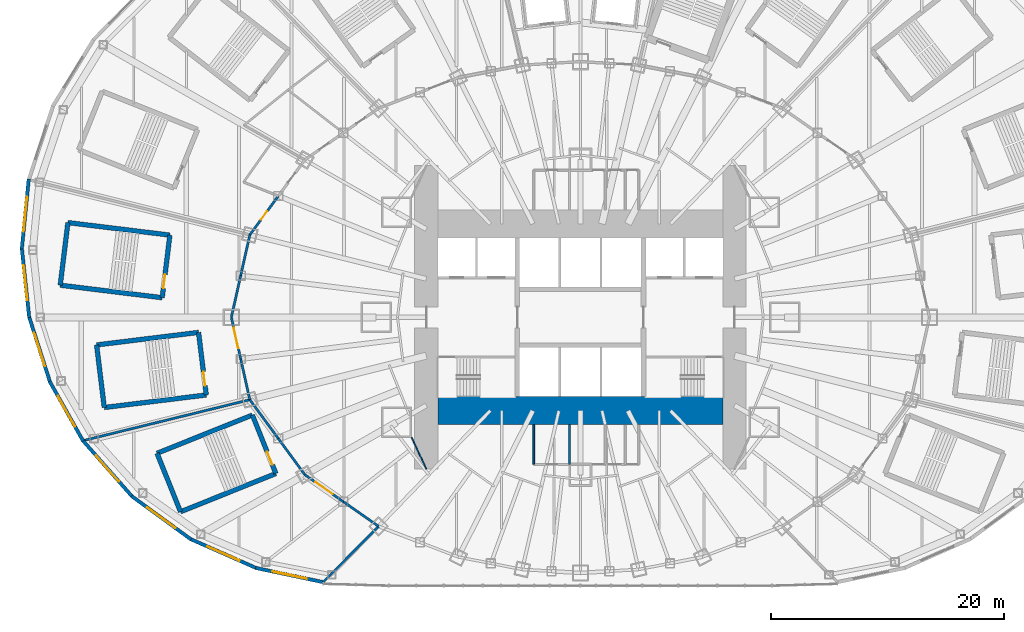
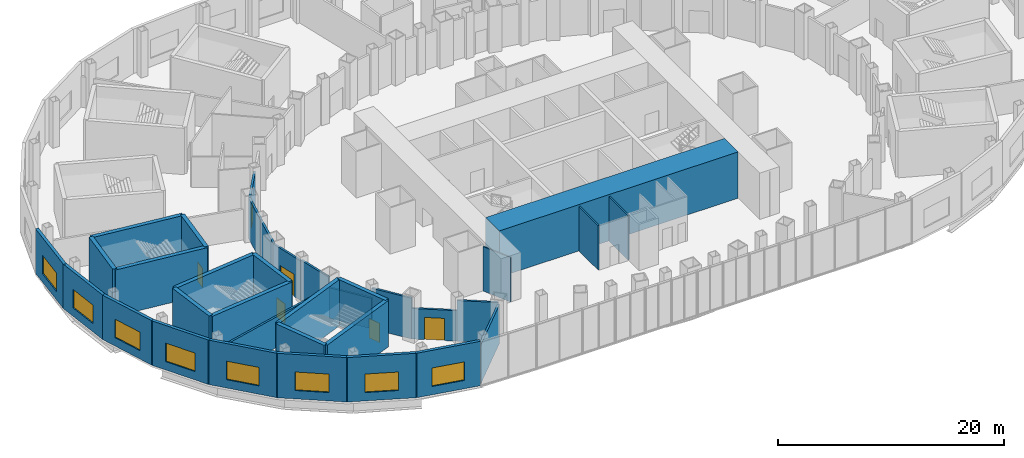
# One storey, part 13 of 73: 35 walls, 8 windows, 6 doors, 14 openings.
"""IFC4 building model written with IfcOpenShell, lengths in metres."""

from ifc_helpers import new_model, si_unit, direction, frame, frame_2d, origin, place, context, subcontext, project, spatial, rectangle, extrude, material, layer, layer_set, type_object, element, fill, save


model = new_model("IFC4")

# Units and contexts
model_context = context("Model", 3, precision=1e-05, world=origin(), true_north=direction((0.0, 1.0)))
body_context = subcontext(model_context, "Body", "Model", "MODEL_VIEW")
ifc_project = project(units=[si_unit("LENGTHUNIT", "METRE"), si_unit("AREAUNIT", "SQUARE_METRE"), si_unit("VOLUMEUNIT", "CUBIC_METRE"), si_unit("PLANEANGLEUNIT", "RADIAN"), si_unit("MASSUNIT", "GRAM", prefix="KILO")], contexts=[model_context])

# Site, building, storey
site_placement = place(None, origin())
site = spatial("IfcSite", under=ifc_project, at=site_placement, CompositionType="ELEMENT")
building_placement = place(site_placement, origin())
building = spatial("IfcBuilding", under=site, at=building_placement, Name="Lantaw Convention Tower", CompositionType="ELEMENT")
storey_placement = place(building_placement, frame((0.0, 0.0, 22.0)))
storey = spatial("IfcBuildingStorey", under=building, at=storey_placement, Name="L03", CompositionType="ELEMENT", Elevation=22.0)

# Walls
ifc_material_1 = material(Name="Concrete C60/75", Category="concrete")
ifc_layer_1 = layer(ifc_material_1, 2.39990234375)
ifc_layer_set_1 = layer_set([ifc_layer_1], Name="Core wall 2400")
wall_type_1 = type_object("IfcWallType", Name="Core wall 2400", PredefinedType="SHEAR", material=ifc_layer_set_1)
wall_1_placement = place(storey_placement, frame((-12.199951171875, -8.0, 0.0), z_axis=(0.0, 0.0, 1.0), x_axis=(1.0, 0.0, 0.0)))
element("IfcWall", 1, at=wall_1_placement, inside=storey, type_object=wall_type_1, Name="Core wall S", PredefinedType="SHEAR", context=body_context, shape_type="SweptSolid", body=[
    extrude(rectangle(XDim=24.39990234375, YDim=2.39990234375, at=frame_2d((12.199951171875, 0.0))), origin(), (0.0, 0.0, 1.0), 5.0),
])
ifc_material_2 = material(Name="Gypsum board on steel studs, acoustic", Category="steel")
ifc_layer_2 = layer(ifc_material_2, 0.10009765625)
ifc_layer_set_2 = layer_set([ifc_layer_2], Name="Office partition 100")
wall_type_2 = type_object("IfcWallType", Name="Office partition 100", PredefinedType="PARTITIONING", material=ifc_layer_set_2)
wall_2_placement = place(storey_placement, frame((-13.199951171875, -13.0, 0.0), z_axis=(0.0, 0.0, 1.0), x_axis=(-0.420129824888, 0.907464010437, 0.0)))
element("IfcWall", 2, at=wall_2_placement, inside=storey, type_object=wall_type_2, Name="Office partition 100", PredefinedType="PARTITIONING", context=body_context, shape_type="SweptSolid", body=[
    extrude(rectangle(XDim=2.975341796875, YDim=0.10009765625, at=frame_2d((1.48779296875, 0.0))), origin(), (0.0, 0.0, 1.0), 4.800048828125),
])

# Wall, opening, window
ifc_material_3 = material(Name="Precast concrete panel, pale aluminium rainscreen", Category="concrete")
ifc_layer_3 = layer(ifc_material_3, 0.300048828125)
ifc_layer_set_3 = layer_set([ifc_layer_3], Name="Podium external wall 300")
wall_type_3 = type_object("IfcWallType", Name="Podium external wall 300", PredefinedType="SOLIDWALL", material=ifc_layer_set_3)
wall_3_placement = place(storey_placement, frame((-47.256591796875, 11.845458984375, 0.0), z_axis=(0.0, 0.0, 1.0), x_axis=(-0.099051198898, -0.9950823383, 0.0)))
wall_3 = element("IfcWall", 3, at=wall_3_placement, inside=storey, type_object=wall_type_3, Name="Podium facade wall", PredefinedType="SOLIDWALL", context=body_context, shape_type="SweptSolid", body=[
    extrude(rectangle(XDim=6.036376953125, YDim=0.300048828125, at=frame_2d((3.01806640625, 0.0))), origin(), (0.0, 0.0, 1.0), 4.800048828125),
])
opening_1_placement = place(wall_3_placement, frame((1.51806640625, 0.0, 0.89990234375)))
opening_1 = element("IfcOpeningElement", 4, at=opening_1_placement, cuts=wall_3, Name="Opening W3", PredefinedType="OPENING", context=body_context, shape_type="SweptSolid", body=[
    extrude(rectangle(XDim=3.0, YDim=2.0, at=frame_2d((1.5, 1.0))), frame((0.0, 0.159912109375, 0.0), z_axis=(0.0, -1.0, 0.0), x_axis=(1.0, 0.0, 0.0)), (0.0, 0.0, 1.0), 0.320068359375),
])
ifc_material_4 = material(Name="Aluminium frame, clear insulating glass", Category="aluminium")
window_type = type_object("IfcWindowType", Name="Podium window 3000x2000", PartitioningType="DOUBLE_PANEL_VERTICAL", PredefinedType="WINDOW", material=ifc_material_4)
window_1_placement = place(opening_1_placement, origin())
window_1 = element("IfcWindow", 5, at=window_1_placement, inside=storey, type_object=window_type, Name="Podium window", OverallHeight=2.0, OverallWidth=3.0, PartitioningType="SINGLE_PANEL", PredefinedType="WINDOW", context=body_context, shape_type="SweptSolid", body=[
    extrude(rectangle(XDim=3.0, YDim=2.0, at=frame_2d((1.5, 1.0))), frame((0.0, 0.030029296875, 0.0), z_axis=(0.0, -1.0, 0.0), x_axis=(1.0, 0.0, 0.0)), (0.0, 0.0, 1.0), 0.06005859375),
])
fill(opening_1, window_1)

wall_4_placement = place(storey_placement, frame((-47.85498046875, 5.94921875, 0.0), z_axis=(0.0, 0.0, 1.0), x_axis=(0.105835648981, -0.99438363593, 0.0)))
wall_4 = element("IfcWall", 6, at=wall_4_placement, inside=storey, type_object=wall_type_3, Name="Podium facade wall", PredefinedType="SOLIDWALL", context=body_context, shape_type="SweptSolid", body=[
    extrude(rectangle(XDim=6.0068359375, YDim=0.300048828125, at=frame_2d((3.00341796875, 0.0))), origin(), (0.0, 0.0, 1.0), 4.800048828125),
])
opening_2_placement = place(wall_4_placement, frame((1.50341796875, 0.0, 0.89990234375)))
opening_2 = element("IfcOpeningElement", 7, at=opening_2_placement, cuts=wall_4, Name="Opening W3", PredefinedType="OPENING", context=body_context, shape_type="SweptSolid", body=[
    extrude(rectangle(XDim=3.0, YDim=2.0, at=frame_2d((1.5, 1.0))), frame((0.0, 0.159912109375, 0.0), z_axis=(0.0, -1.0, 0.0), x_axis=(1.0, 0.0, 0.0)), (0.0, 0.0, 1.0), 0.320068359375),
])
window_2_placement = place(opening_2_placement, origin())
window_2 = element("IfcWindow", 8, at=window_2_placement, inside=storey, type_object=window_type, Name="Podium window", OverallHeight=2.0, OverallWidth=3.0, PartitioningType="SINGLE_PANEL", PredefinedType="WINDOW", context=body_context, shape_type="SweptSolid", body=[
    extrude(rectangle(XDim=3.0, YDim=2.0, at=frame_2d((1.5, 1.0))), frame((0.0, 0.030029296875, 0.0), z_axis=(0.0, -1.0, 0.0), x_axis=(1.0, 0.0, 0.0)), (0.0, 0.0, 1.0), 0.06005859375),
])
fill(opening_2, window_2)

wall_5_placement = place(storey_placement, frame((-47.241943359375, 0.083740234375, 0.0), z_axis=(0.0, 0.0, 1.0), x_axis=(0.304991367091, -0.95235511549, 0.0)))
wall_5 = element("IfcWall", 9, at=wall_5_placement, inside=storey, type_object=wall_type_3, Name="Podium facade wall", PredefinedType="SOLIDWALL", context=body_context, shape_type="SweptSolid", body=[
    extrude(rectangle(XDim=5.956298828125, YDim=0.300048828125, at=frame_2d((2.97802734375, 0.0))), origin(), (0.0, 0.0, 1.0), 4.800048828125),
])
opening_3_placement = place(wall_5_placement, frame((1.478271484375, 0.0, 0.89990234375)))
opening_3 = element("IfcOpeningElement", 10, at=opening_3_placement, cuts=wall_5, Name="Opening W3", PredefinedType="OPENING", context=body_context, shape_type="SweptSolid", body=[
    extrude(rectangle(XDim=3.0, YDim=2.0, at=frame_2d((1.5, 1.0))), frame((0.0, 0.159912109375, 0.0), z_axis=(0.0, -1.0, 0.0), x_axis=(1.0, 0.0, 0.0)), (0.0, 0.0, 1.0), 0.320068359375),
])
window_3_placement = place(opening_3_placement, origin())
window_3 = element("IfcWindow", 11, at=window_3_placement, inside=storey, type_object=window_type, Name="Podium window", OverallHeight=2.0, OverallWidth=3.0, PartitioningType="SINGLE_PANEL", PredefinedType="WINDOW", context=body_context, shape_type="SweptSolid", body=[
    extrude(rectangle(XDim=3.0, YDim=2.0, at=frame_2d((1.5, 1.0))), frame((0.0, 0.030029296875, 0.0), z_axis=(0.0, -1.0, 0.0), x_axis=(1.0, 0.0, 0.0)), (0.0, 0.0, 1.0), 0.06005859375),
])
fill(opening_3, window_3)

wall_6_placement = place(storey_placement, frame((-45.46923828125, -5.48828125, 0.0), z_axis=(0.0, 0.0, 1.0), x_axis=(0.489563544979, -0.871967622924, 0.0)))
wall_6 = element("IfcWall", 12, at=wall_6_placement, inside=storey, type_object=wall_type_3, Name="Podium facade wall", PredefinedType="SOLIDWALL", context=body_context, shape_type="SweptSolid", body=[
    extrude(rectangle(XDim=5.882568359375, YDim=0.300048828125, at=frame_2d((2.94140625, 0.0))), origin(), (0.0, 0.0, 1.0), 4.800048828125),
])
opening_4_placement = place(wall_6_placement, frame((1.44140625, 0.0, 0.89990234375)))
opening_4 = element("IfcOpeningElement", 13, at=opening_4_placement, cuts=wall_6, Name="Opening W3", PredefinedType="OPENING", context=body_context, shape_type="SweptSolid", body=[
    extrude(rectangle(XDim=3.0, YDim=2.0, at=frame_2d((1.5, 1.0))), frame((0.0, 0.159912109375, 0.0), z_axis=(0.0, -1.0, 0.0), x_axis=(1.0, 0.0, 0.0)), (0.0, 0.0, 1.0), 0.320068359375),
])
window_4_placement = place(opening_4_placement, origin())
window_4 = element("IfcWindow", 14, at=window_4_placement, inside=storey, type_object=window_type, Name="Podium window", OverallHeight=2.0, OverallWidth=3.0, PartitioningType="SINGLE_PANEL", PredefinedType="WINDOW", context=body_context, shape_type="SweptSolid", body=[
    extrude(rectangle(XDim=3.0, YDim=2.0, at=frame_2d((1.5, 1.0))), frame((0.0, 0.030029296875, 0.0), z_axis=(0.0, -1.0, 0.0), x_axis=(1.0, 0.0, 0.0)), (0.0, 0.0, 1.0), 0.06005859375),
])
fill(opening_4, window_4)

wall_7_placement = place(storey_placement, frame((-42.653564453125, -10.527099609375, 0.0), z_axis=(0.0, 0.0, 1.0), x_axis=(0.661196672464, -0.75021261008, 0.0)))
wall_7 = element("IfcWall", 15, at=wall_7_placement, inside=storey, type_object=wall_type_3, Name="Podium facade wall", PredefinedType="SOLIDWALL", context=body_context, shape_type="SweptSolid", body=[
    extrude(rectangle(XDim=6.48095703125, YDim=0.300048828125, at=frame_2d((3.240478515625, 0.0))), origin(), (0.0, 0.0, 1.0), 4.800048828125),
])
opening_5_placement = place(wall_7_placement, frame((1.740478515625, 0.0, 0.89990234375)))
opening_5 = element("IfcOpeningElement", 16, at=opening_5_placement, cuts=wall_7, Name="Opening W3", PredefinedType="OPENING", context=body_context, shape_type="SweptSolid", body=[
    extrude(rectangle(XDim=3.0, YDim=2.0, at=frame_2d((1.5, 1.0))), frame((0.0, 0.159912109375, 0.0), z_axis=(0.0, -1.0, 0.0), x_axis=(1.0, 0.0, 0.0)), (0.0, 0.0, 1.0), 0.320068359375),
])
window_5_placement = place(opening_5_placement, origin())
window_5 = element("IfcWindow", 17, at=window_5_placement, inside=storey, type_object=window_type, Name="Podium window", OverallHeight=2.0, OverallWidth=3.0, PartitioningType="SINGLE_PANEL", PredefinedType="WINDOW", context=body_context, shape_type="SweptSolid", body=[
    extrude(rectangle(XDim=3.0, YDim=2.0, at=frame_2d((1.5, 1.0))), frame((0.0, 0.030029296875, 0.0), z_axis=(0.0, -1.0, 0.0), x_axis=(1.0, 0.0, 0.0)), (0.0, 0.0, 1.0), 0.06005859375),
])
fill(opening_5, window_5)

wall_8_placement = place(storey_placement, frame((-38.451171875, -15.313720703125, 0.0), z_axis=(0.0, 0.0, 1.0), x_axis=(0.807903497184, -0.589314804868, 0.0)))
wall_8 = element("IfcWall", 18, at=wall_8_placement, inside=storey, type_object=wall_type_3, Name="Podium facade wall", PredefinedType="SOLIDWALL", context=body_context, shape_type="SweptSolid", body=[
    extrude(rectangle(XDim=6.30810546875, YDim=0.300048828125, at=frame_2d((3.154052734375, 0.0))), origin(), (0.0, 0.0, 1.0), 4.800048828125),
])
opening_6_placement = place(wall_8_placement, frame((1.654296875, 0.0, 0.89990234375)))
opening_6 = element("IfcOpeningElement", 19, at=opening_6_placement, cuts=wall_8, Name="Opening W3", PredefinedType="OPENING", context=body_context, shape_type="SweptSolid", body=[
    extrude(rectangle(XDim=3.0, YDim=2.0, at=frame_2d((1.5, 1.0))), frame((0.0, 0.159912109375, 0.0), z_axis=(0.0, -1.0, 0.0), x_axis=(1.0, 0.0, 0.0)), (0.0, 0.0, 1.0), 0.320068359375),
])
window_6_placement = place(opening_6_placement, origin())
window_6 = element("IfcWindow", 20, at=window_6_placement, inside=storey, type_object=window_type, Name="Podium window", OverallHeight=2.0, OverallWidth=3.0, PartitioningType="SINGLE_PANEL", PredefinedType="WINDOW", context=body_context, shape_type="SweptSolid", body=[
    extrude(rectangle(XDim=3.0, YDim=2.0, at=frame_2d((1.5, 1.0))), frame((0.0, 0.030029296875, 0.0), z_axis=(0.0, -1.0, 0.0), x_axis=(1.0, 0.0, 0.0)), (0.0, 0.0, 1.0), 0.06005859375),
])
fill(opening_6, window_6)

wall_9_placement = place(storey_placement, frame((-33.451416015625, -18.9755859375, 0.0), z_axis=(0.0, 0.0, 1.0), x_axis=(0.914840828207, -0.40381463451, 0.0)))
wall_9 = element("IfcWall", 21, at=wall_9_placement, inside=storey, type_object=wall_type_3, Name="Podium facade wall", PredefinedType="SOLIDWALL", context=body_context, shape_type="SweptSolid", body=[
    extrude(rectangle(XDim=6.271484375, YDim=0.300048828125, at=frame_2d((3.1357421875, 0.0))), origin(), (0.0, 0.0, 1.0), 4.800048828125),
])
opening_7_placement = place(wall_9_placement, frame((1.6357421875, 0.0, 0.89990234375)))
opening_7 = element("IfcOpeningElement", 22, at=opening_7_placement, cuts=wall_9, Name="Opening W3", PredefinedType="OPENING", context=body_context, shape_type="SweptSolid", body=[
    extrude(rectangle(XDim=3.0, YDim=2.0, at=frame_2d((1.5, 1.0))), frame((0.0, 0.159912109375, 0.0), z_axis=(0.0, -1.0, 0.0), x_axis=(1.0, 0.0, 0.0)), (0.0, 0.0, 1.0), 0.320068359375),
])
window_7_placement = place(opening_7_placement, origin())
window_7 = element("IfcWindow", 23, at=window_7_placement, inside=storey, type_object=window_type, Name="Podium window", OverallHeight=2.0, OverallWidth=3.0, PartitioningType="SINGLE_PANEL", PredefinedType="WINDOW", context=body_context, shape_type="SweptSolid", body=[
    extrude(rectangle(XDim=3.0, YDim=2.0, at=frame_2d((1.5, 1.0))), frame((0.0, 0.030029296875, 0.0), z_axis=(0.0, -1.0, 0.0), x_axis=(1.0, 0.0, 0.0)), (0.0, 0.0, 1.0), 0.06005859375),
])
fill(opening_7, window_7)

wall_10_placement = place(storey_placement, frame((-27.819580078125, -21.473876953125, 0.0), z_axis=(0.0, 0.0, 1.0), x_axis=(0.978625319268, -0.205651366364, 0.0)))
wall_10 = element("IfcWall", 24, at=wall_10_placement, inside=storey, type_object=wall_type_3, Name="Podium facade wall", PredefinedType="SOLIDWALL", context=body_context, shape_type="SweptSolid", body=[
    extrude(rectangle(XDim=5.9619140625, YDim=0.300048828125, at=frame_2d((2.98095703125, 0.0))), origin(), (0.0, 0.0, 1.0), 4.800048828125),
])
opening_8_placement = place(wall_10_placement, frame((1.48095703125, 0.0, 0.89990234375)))
opening_8 = element("IfcOpeningElement", 25, at=opening_8_placement, cuts=wall_10, Name="Opening W3", PredefinedType="OPENING", context=body_context, shape_type="SweptSolid", body=[
    extrude(rectangle(XDim=3.0, YDim=2.0, at=frame_2d((1.5, 1.0))), frame((0.0, 0.159912109375, 0.0), z_axis=(0.0, -1.0, 0.0), x_axis=(1.0, 0.0, 0.0)), (0.0, 0.0, 1.0), 0.320068359375),
])
window_8_placement = place(opening_8_placement, origin())
window_8 = element("IfcWindow", 26, at=window_8_placement, inside=storey, type_object=window_type, Name="Podium window", OverallHeight=2.0, OverallWidth=3.0, PartitioningType="SINGLE_PANEL", PredefinedType="WINDOW", context=body_context, shape_type="SweptSolid", body=[
    extrude(rectangle(XDim=3.0, YDim=2.0, at=frame_2d((1.5, 1.0))), frame((0.0, 0.030029296875, 0.0), z_axis=(0.0, -1.0, 0.0), x_axis=(1.0, 0.0, 0.0)), (0.0, 0.0, 1.0), 0.06005859375),
])
fill(opening_8, window_8)

# Wall, opening, door
ifc_material_5 = material(Name="Concrete blockwork", Category="masonry")
ifc_layer_4 = layer(ifc_material_5, 0.199951171875)
ifc_layer_set_4 = layer_set([ifc_layer_4], Name="Podium partition 200")
wall_type_4 = type_object("IfcWallType", Name="Podium partition 200", PredefinedType="SOLIDWALL", material=ifc_layer_set_4)
wall_11_placement = place(storey_placement, frame((-25.8779296875, 10.388427734375, 0.0), z_axis=(0.0, 0.0, 1.0), x_axis=(-0.591255937291, -0.806483984105, 0.0)))
wall_11 = element("IfcWall", 27, at=wall_11_placement, inside=storey, type_object=wall_type_4, Name="Podium partition 200", PredefinedType="SOLIDWALL", context=body_context, shape_type="SweptSolid", body=[
    extrude(rectangle(XDim=4.126708984375, YDim=0.199951171875, at=frame_2d((2.0634765625, 0.0))), origin(), (0.0, 0.0, 1.0), 4.396240234375),
])
opening_9_placement = place(wall_11_placement, frame((1.61328125, 0.0, 0.0)))
opening_9 = element("IfcOpeningElement", 28, at=opening_9_placement, cuts=wall_11, Name="Opening L03.20", PredefinedType="OPENING", context=body_context, shape_type="SweptSolid", body=[
    extrude(rectangle(XDim=0.89990234375, YDim=2.10009765625, at=frame_2d((0.449951171875, 1.050048828125))), frame((0.0, 0.10986328125, 0.0), z_axis=(0.0, -1.0, 0.0), x_axis=(1.0, 0.0, 0.0)), (0.0, 0.0, 1.0), 0.219970703125),
])
ifc_material_6 = material(Name="Timber", Category="wood")
door_type_1 = type_object("IfcDoorType", Name="Store door 900", OperationType="SINGLE_SWING_LEFT", PredefinedType="DOOR", material=ifc_material_6)
door_1_placement = place(opening_9_placement, origin())
door_1 = element("IfcDoor", 29, at=door_1_placement, inside=storey, type_object=door_type_1, Name="Hall store door", OperationType="SINGLE_SWING_LEFT", OverallHeight=2.10009765625, OverallWidth=0.89990234375, PredefinedType="DOOR", context=body_context, shape_type="SweptSolid", body=[
    extrude(rectangle(XDim=0.89990234375, YDim=2.10009765625, at=frame_2d((0.449951171875, 1.050048828125))), frame((0.0, 0.02490234375, 0.0), z_axis=(0.0, -1.0, 0.0), x_axis=(1.0, 0.0, 0.0)), (0.0, 0.0, 1.0), 0.050048828125),
])
fill(opening_9, door_1)

# Walls
wall_12_placement = place(storey_placement, frame((-28.31787109375, 7.060302734375, 0.0), z_axis=(0.0, 0.0, 1.0), x_axis=(-0.218673326171, -0.97579812278, 0.0)))
element("IfcWall", 30, at=wall_12_placement, inside=storey, type_object=wall_type_4, Name="Podium partition 200", PredefinedType="SOLIDWALL", context=body_context, shape_type="SweptSolid", body=[
    extrude(rectangle(XDim=3.57373046875, YDim=0.199951171875, at=frame_2d((1.786865234375, 0.0))), origin(), (0.0, 0.0, 1.0), 4.3935546875),
])
wall_13_placement = place(storey_placement, frame((-29.099365234375, 3.572998046875, 0.0), z_axis=(0.0, 0.0, 1.0), x_axis=(-0.218631550323, -0.975807483679, 0.0)))
element("IfcWall", 31, at=wall_13_placement, inside=storey, type_object=wall_type_4, Name="Podium partition 200", PredefinedType="SOLIDWALL", context=body_context, shape_type="SweptSolid", body=[
    extrude(rectangle(XDim=3.66162109375, YDim=0.199951171875, at=frame_2d((1.830810546875, 0.0))), origin(), (0.0, 0.0, 1.0), 4.350341796875),
])

# Wall, opening, door
wall_14_placement = place(storey_placement, frame((-29.89990234375, 0.0, 0.0), z_axis=(0.0, 0.0, 1.0), x_axis=(0.218631550323, -0.975807483679, 0.0)))
wall_14 = element("IfcWall", 32, at=wall_14_placement, inside=storey, type_object=wall_type_4, Name="Podium partition 200", PredefinedType="SOLIDWALL", context=body_context, shape_type="SweptSolid", body=[
    extrude(rectangle(XDim=3.66162109375, YDim=0.199951171875, at=frame_2d((1.830810546875, 0.0))), origin(), (0.0, 0.0, 1.0), 4.271728515625),
])
opening_10_placement = place(wall_14_placement, frame((0.930908203125, 0.0, 0.0)))
opening_10 = element("IfcOpeningElement", 33, at=opening_10_placement, cuts=wall_14, Name="Opening L03.21", PredefinedType="OPENING", context=body_context, shape_type="SweptSolid", body=[
    extrude(rectangle(XDim=1.800048828125, YDim=2.39990234375, at=frame_2d((0.89990234375, 1.199951171875))), frame((0.0, 0.10986328125, 0.0), z_axis=(0.0, -1.0, 0.0), x_axis=(1.0, 0.0, 0.0)), (0.0, 0.0, 1.0), 0.219970703125),
])
door_type_2 = type_object("IfcDoorType", Name="Hall double door 1800", OperationType="DOUBLE_DOOR_DOUBLE_SWING", PredefinedType="DOOR", material=ifc_material_6)
door_2_placement = place(opening_10_placement, origin())
door_2 = element("IfcDoor", 34, at=door_2_placement, inside=storey, type_object=door_type_2, Name="Meeting room door", OperationType="DOUBLE_DOOR_DOUBLE_SWING", OverallHeight=2.39990234375, OverallWidth=1.800048828125, PredefinedType="DOOR", context=body_context, shape_type="SweptSolid", body=[
    extrude(rectangle(XDim=1.800048828125, YDim=2.39990234375, at=frame_2d((0.89990234375, 1.199951171875))), frame((0.0, 0.02490234375, 0.0), z_axis=(0.0, -1.0, 0.0), x_axis=(1.0, 0.0, 0.0)), (0.0, 0.0, 1.0), 0.050048828125),
])
fill(opening_10, door_2)

# Walls
wall_15_placement = place(storey_placement, frame((-29.099365234375, -3.572998046875, 0.0), z_axis=(0.0, 0.0, 1.0), x_axis=(0.218673326171, -0.97579812278, 0.0)))
element("IfcWall", 35, at=wall_15_placement, inside=storey, type_object=wall_type_4, Name="Podium partition 200", PredefinedType="SOLIDWALL", context=body_context, shape_type="SweptSolid", body=[
    extrude(rectangle(XDim=3.57373046875, YDim=0.199951171875, at=frame_2d((1.786865234375, 0.0))), origin(), (0.0, 0.0, 1.0), 4.396240234375),
])
wall_16_placement = place(storey_placement, frame((-28.31787109375, -7.060302734375, 0.0), z_axis=(0.0, 0.0, 1.0), x_axis=(0.591255937291, -0.806483984105, 0.0)))
element("IfcWall", 36, at=wall_16_placement, inside=storey, type_object=wall_type_4, Name="Podium partition 200", PredefinedType="SOLIDWALL", context=body_context, shape_type="SweptSolid", body=[
    extrude(rectangle(XDim=4.126708984375, YDim=0.199951171875, at=frame_2d((2.0634765625, 0.0))), origin(), (0.0, 0.0, 1.0), 3.300048828125),
])
wall_17_placement = place(storey_placement, frame((-25.8779296875, -10.388427734375, 0.0), z_axis=(0.0, 0.0, 1.0), x_axis=(0.591286566758, -0.806461527893, 0.0)))
element("IfcWall", 37, at=wall_17_placement, inside=storey, type_object=wall_type_4, Name="Podium partition 200", PredefinedType="SOLIDWALL", context=body_context, shape_type="SweptSolid", body=[
    extrude(rectangle(XDim=3.843994140625, YDim=0.199951171875, at=frame_2d((1.921875, 0.0))), origin(), (0.0, 0.0, 1.0), 4.396240234375),
])

# Wall, opening, door
wall_18_placement = place(storey_placement, frame((-23.60498046875, -13.488525390625, 0.0), z_axis=(0.0, 0.0, 1.0), x_axis=(0.819442856133, -0.573160889744, 0.0)))
wall_18 = element("IfcWall", 38, at=wall_18_placement, inside=storey, type_object=wall_type_4, Name="Podium partition 200", PredefinedType="SOLIDWALL", context=body_context, shape_type="SweptSolid", body=[
    extrude(rectangle(XDim=4.022705078125, YDim=0.199951171875, at=frame_2d((2.01123046875, 0.0))), origin(), (0.0, 0.0, 1.0), 3.300048828125),
])
opening_11_placement = place(wall_18_placement, frame((1.111328125, 0.0, 0.0)))
opening_11 = element("IfcOpeningElement", 39, at=opening_11_placement, cuts=wall_18, Name="Opening L03.22", PredefinedType="OPENING", context=body_context, shape_type="SweptSolid", body=[
    extrude(rectangle(XDim=1.800048828125, YDim=2.39990234375, at=frame_2d((0.89990234375, 1.199951171875))), frame((0.0, 0.10986328125, 0.0), z_axis=(0.0, -1.0, 0.0), x_axis=(1.0, 0.0, 0.0)), (0.0, 0.0, 1.0), 0.219970703125),
])
door_3_placement = place(opening_11_placement, origin())
door_3 = element("IfcDoor", 40, at=door_3_placement, inside=storey, type_object=door_type_2, Name="Pre-function room door", OperationType="DOUBLE_DOOR_DOUBLE_SWING", OverallHeight=2.39990234375, OverallWidth=1.800048828125, PredefinedType="DOOR", context=body_context, shape_type="SweptSolid", body=[
    extrude(rectangle(XDim=1.800048828125, YDim=2.39990234375, at=frame_2d((0.89990234375, 1.199951171875))), frame((0.0, 0.02490234375, 0.0), z_axis=(0.0, -1.0, 0.0), x_axis=(1.0, 0.0, 0.0)), (0.0, 0.0, 1.0), 0.050048828125),
])
fill(opening_11, door_3)

# Walls
wall_19_placement = place(storey_placement, frame((-20.30859375, -15.794189453125, 0.0), z_axis=(0.0, 0.0, 1.0), x_axis=(0.819409395821, -0.573208724672, 0.0)))
element("IfcWall", 41, at=wall_19_placement, inside=storey, type_object=wall_type_4, Name="Podium partition 200", PredefinedType="SOLIDWALL", context=body_context, shape_type="SweptSolid", body=[
    extrude(rectangle(XDim=3.682861328125, YDim=0.199951171875, at=frame_2d((1.84130859375, 0.0))), origin(), (0.0, 0.0, 1.0), 4.396240234375),
])
wall_20_placement = place(storey_placement, frame((-28.31787109375, -7.060302734375, 0.0), z_axis=(0.0, 0.0, 1.0), x_axis=(-0.971190644534, -0.238303864783, 0.0)))
element("IfcWall", 42, at=wall_20_placement, inside=storey, type_object=wall_type_4, Name="Podium partition 200", PredefinedType="SOLIDWALL", context=body_context, shape_type="SweptSolid", body=[
    extrude(rectangle(XDim=14.722900390625, YDim=0.199951171875, at=frame_2d((7.361328125, 0.0))), origin(), (0.0, 0.0, 1.0), 3.300048828125),
])
wall_21_placement = place(storey_placement, frame((-17.290771484375, -17.9052734375, 0.0), z_axis=(0.0, 0.0, 1.0), x_axis=(-0.704348079756, -0.709854761585, 0.0)))
element("IfcWall", 43, at=wall_21_placement, inside=storey, type_object=wall_type_4, Name="Podium partition 200", PredefinedType="SOLIDWALL", context=body_context, shape_type="SweptSolid", body=[
    extrude(rectangle(XDim=6.739013671875, YDim=0.199951171875, at=frame_2d((3.36962890625, 0.0))), origin(), (0.0, 0.0, 1.0), 4.197998046875),
])
ifc_material_7 = material(Name="Concrete C40/50, stair core", Category="concrete")
ifc_layer_5 = layer(ifc_material_7, 0.39990234375)
ifc_layer_set_5 = layer_set([ifc_layer_5], Name="Stair enclosure wall 400 EI 120")
wall_type_5 = type_object("IfcWallType", Name="Stair enclosure wall 400 EI 120", PredefinedType="SHEAR", material=ifc_layer_set_5)
wall_22_placement = place(storey_placement, frame((-35.164794921875, 7.037841796875, 0.0), z_axis=(0.0, 0.0, 1.0), x_axis=(-0.992545280606, 0.121876437212, 0.0)))
element("IfcWall", 44, at=wall_22_placement, inside=storey, type_object=wall_type_5, Name="Stair enclosure wall", PredefinedType="SHEAR", context=body_context, shape_type="SweptSolid", body=[
    extrude(rectangle(XDim=8.800048828125, YDim=0.39990234375, at=frame_2d((4.39990234375, 0.0))), origin(), (0.0, 0.0, 1.0), 5.0),
])
wall_23_placement = place(storey_placement, frame((-43.899169921875, 8.1103515625, 0.0), z_axis=(0.0, 0.0, 1.0), x_axis=(-0.12184754212, -0.99254882826, 0.0)))
element("IfcWall", 45, at=wall_23_placement, inside=storey, type_object=wall_type_5, Name="Stair enclosure wall", PredefinedType="SHEAR", context=body_context, shape_type="SweptSolid", body=[
    extrude(rectangle(XDim=5.39990234375, YDim=0.39990234375, at=frame_2d((2.699951171875, 0.0))), origin(), (0.0, 0.0, 1.0), 5.0),
])
wall_24_placement = place(storey_placement, frame((-44.55712890625, 2.750732421875, 0.0), z_axis=(0.0, 0.0, 1.0), x_axis=(0.992545280606, -0.121876437212, 0.0)))
element("IfcWall", 46, at=wall_24_placement, inside=storey, type_object=wall_type_5, Name="Stair enclosure wall", PredefinedType="SHEAR", context=body_context, shape_type="SweptSolid", body=[
    extrude(rectangle(XDim=8.800048828125, YDim=0.39990234375, at=frame_2d((4.39990234375, 0.0))), origin(), (0.0, 0.0, 1.0), 5.0),
])

# Wall, opening, door
wall_25_placement = place(storey_placement, frame((-35.82275390625, 1.67822265625, 0.0), z_axis=(0.0, 0.0, 1.0), x_axis=(0.12184754212, 0.99254882826, 0.0)))
wall_25 = element("IfcWall", 47, at=wall_25_placement, inside=storey, type_object=wall_type_5, Name="Stair enclosure wall", PredefinedType="SHEAR", context=body_context, shape_type="SweptSolid", body=[
    extrude(rectangle(XDim=5.39990234375, YDim=0.39990234375, at=frame_2d((2.699951171875, 0.0))), origin(), (0.0, 0.0, 1.0), 5.0),
])
opening_12_placement = place(wall_25_placement, frame((0.800048828125, 0.0, 0.0)))
opening_12 = element("IfcOpeningElement", 48, at=opening_12_placement, cuts=wall_25, Name="Opening L03.P9", PredefinedType="OPENING", context=body_context, shape_type="SweptSolid", body=[
    extrude(rectangle(XDim=1.199951171875, YDim=2.10009765625, at=frame_2d((0.60009765625, 1.050048828125))), frame((0.0, 0.2099609375, 0.0), z_axis=(0.0, -1.0, 0.0), x_axis=(1.0, 0.0, 0.0)), (0.0, 0.0, 1.0), 0.419921875),
])
ifc_material_8 = material(Name="Steel, fire rated", Category="steel")
door_type_3 = type_object("IfcDoorType", Name="Stair door FD90", OperationType="SINGLE_SWING_RIGHT", PredefinedType="DOOR", material=ifc_material_8)
door_4_placement = place(opening_12_placement, origin())
door_4 = element("IfcDoor", 49, at=door_4_placement, inside=storey, type_object=door_type_3, Name="Exit stair door", OperationType="SINGLE_SWING_RIGHT", OverallHeight=2.10009765625, OverallWidth=1.199951171875, PredefinedType="DOOR", context=body_context, shape_type="SweptSolid", body=[
    extrude(rectangle(XDim=1.199951171875, YDim=2.10009765625, at=frame_2d((0.60009765625, 1.050048828125))), frame((0.0, 0.02490234375, 0.0), z_axis=(0.0, -1.0, 0.0), x_axis=(1.0, 0.0, 0.0)), (0.0, 0.0, 1.0), 0.050048828125),
])
fill(opening_12, door_4)

# Walls
wall_26_placement = place(storey_placement, frame((-32.70849609375, -1.2958984375, 0.0), z_axis=(0.0, 0.0, 1.0), x_axis=(-0.992545692684, -0.121873081252, 0.0)))
element("IfcWall", 50, at=wall_26_placement, inside=storey, type_object=wall_type_5, Name="Stair enclosure wall", PredefinedType="SHEAR", context=body_context, shape_type="SweptSolid", body=[
    extrude(rectangle(XDim=8.80029296875, YDim=0.39990234375, at=frame_2d((4.400146484375, 0.0))), origin(), (0.0, 0.0, 1.0), 5.0),
])
wall_27_placement = place(storey_placement, frame((-41.443115234375, -2.368408203125, 0.0), z_axis=(0.0, 0.0, 1.0), x_axis=(0.121892082937, -0.992543359314, 0.0)))
element("IfcWall", 51, at=wall_27_placement, inside=storey, type_object=wall_type_5, Name="Stair enclosure wall", PredefinedType="SHEAR", context=body_context, shape_type="SweptSolid", body=[
    extrude(rectangle(XDim=5.39990234375, YDim=0.39990234375, at=frame_2d((2.699951171875, 0.0))), origin(), (0.0, 0.0, 1.0), 5.0),
])
wall_28_placement = place(storey_placement, frame((-40.784912109375, -7.72802734375, 0.0), z_axis=(0.0, 0.0, 1.0), x_axis=(0.992545280606, 0.121876437212, 0.0)))
element("IfcWall", 52, at=wall_28_placement, inside=storey, type_object=wall_type_5, Name="Stair enclosure wall", PredefinedType="SHEAR", context=body_context, shape_type="SweptSolid", body=[
    extrude(rectangle(XDim=8.800048828125, YDim=0.39990234375, at=frame_2d((4.39990234375, 0.0))), origin(), (0.0, 0.0, 1.0), 5.0),
])

# Wall, opening, door
wall_29_placement = place(storey_placement, frame((-32.050537109375, -6.655517578125, 0.0), z_axis=(0.0, 0.0, 1.0), x_axis=(-0.12184754212, 0.99254882826, 0.0)))
wall_29 = element("IfcWall", 53, at=wall_29_placement, inside=storey, type_object=wall_type_5, Name="Stair enclosure wall", PredefinedType="SHEAR", context=body_context, shape_type="SweptSolid", body=[
    extrude(rectangle(XDim=5.39990234375, YDim=0.39990234375, at=frame_2d((2.699951171875, 0.0))), origin(), (0.0, 0.0, 1.0), 5.0),
])
opening_13_placement = place(wall_29_placement, frame((0.800048828125, 0.0, 0.0)))
opening_13 = element("IfcOpeningElement", 54, at=opening_13_placement, cuts=wall_29, Name="Opening L03.P10", PredefinedType="OPENING", context=body_context, shape_type="SweptSolid", body=[
    extrude(rectangle(XDim=1.199951171875, YDim=2.10009765625, at=frame_2d((0.60009765625, 1.050048828125))), frame((0.0, 0.2099609375, 0.0), z_axis=(0.0, -1.0, 0.0), x_axis=(1.0, 0.0, 0.0)), (0.0, 0.0, 1.0), 0.419921875),
])
door_5_placement = place(opening_13_placement, origin())
door_5 = element("IfcDoor", 55, at=door_5_placement, inside=storey, type_object=door_type_3, Name="Exit stair door", OperationType="SINGLE_SWING_RIGHT", OverallHeight=2.10009765625, OverallWidth=1.199951171875, PredefinedType="DOOR", context=body_context, shape_type="SweptSolid", body=[
    extrude(rectangle(XDim=1.199951171875, YDim=2.10009765625, at=frame_2d((0.60009765625, 1.050048828125))), frame((0.0, 0.02490234375, 0.0), z_axis=(0.0, -1.0, 0.0), x_axis=(1.0, 0.0, 0.0)), (0.0, 0.0, 1.0), 0.050048828125),
])
fill(opening_13, door_5)

# Walls
wall_30_placement = place(storey_placement, frame((-28.0986328125, -8.37060546875, 0.0), z_axis=(0.0, 0.0, 1.0), x_axis=(-0.92801678004, -0.372538395288, 0.0)))
element("IfcWall", 56, at=wall_30_placement, inside=storey, type_object=wall_type_5, Name="Stair enclosure wall", PredefinedType="SHEAR", context=body_context, shape_type="SweptSolid", body=[
    extrude(rectangle(XDim=8.800048828125, YDim=0.39990234375, at=frame_2d((4.39990234375, 0.0))), origin(), (0.0, 0.0, 1.0), 5.0),
])
wall_31_placement = place(storey_placement, frame((-36.26513671875, -11.64892578125, 0.0), z_axis=(0.0, 0.0, 1.0), x_axis=(0.372544066459, -0.928014503414, 0.0)))
element("IfcWall", 57, at=wall_31_placement, inside=storey, type_object=wall_type_5, Name="Stair enclosure wall", PredefinedType="SHEAR", context=body_context, shape_type="SweptSolid", body=[
    extrude(rectangle(XDim=5.39990234375, YDim=0.39990234375, at=frame_2d((2.699951171875, 0.0))), origin(), (0.0, 0.0, 1.0), 5.0),
])
wall_32_placement = place(storey_placement, frame((-34.25341796875, -16.66015625, 0.0), z_axis=(0.0, 0.0, 1.0), x_axis=(0.92801678004, 0.372538395288, 0.0)))
element("IfcWall", 58, at=wall_32_placement, inside=storey, type_object=wall_type_5, Name="Stair enclosure wall", PredefinedType="SHEAR", context=body_context, shape_type="SweptSolid", body=[
    extrude(rectangle(XDim=8.800048828125, YDim=0.39990234375, at=frame_2d((4.39990234375, 0.0))), origin(), (0.0, 0.0, 1.0), 5.0),
])

# Wall, opening, door
wall_33_placement = place(storey_placement, frame((-26.0869140625, -13.3818359375, 0.0), z_axis=(0.0, 0.0, 1.0), x_axis=(-0.372544066459, 0.928014503414, 0.0)))
wall_33 = element("IfcWall", 59, at=wall_33_placement, inside=storey, type_object=wall_type_5, Name="Stair enclosure wall", PredefinedType="SHEAR", context=body_context, shape_type="SweptSolid", body=[
    extrude(rectangle(XDim=5.39990234375, YDim=0.39990234375, at=frame_2d((2.699951171875, 0.0))), origin(), (0.0, 0.0, 1.0), 5.0),
])
opening_14_placement = place(wall_33_placement, frame((0.800048828125, 0.0, 0.0)))
opening_14 = element("IfcOpeningElement", 60, at=opening_14_placement, cuts=wall_33, Name="Opening L03.P11", PredefinedType="OPENING", context=body_context, shape_type="SweptSolid", body=[
    extrude(rectangle(XDim=1.199951171875, YDim=2.10009765625, at=frame_2d((0.60009765625, 1.050048828125))), frame((0.0, 0.2099609375, 0.0), z_axis=(0.0, -1.0, 0.0), x_axis=(1.0, 0.0, 0.0)), (0.0, 0.0, 1.0), 0.419921875),
])
door_6_placement = place(opening_14_placement, origin())
door_6 = element("IfcDoor", 61, at=door_6_placement, inside=storey, type_object=door_type_3, Name="Exit stair door", OperationType="SINGLE_SWING_RIGHT", OverallHeight=2.10009765625, OverallWidth=1.199951171875, PredefinedType="DOOR", context=body_context, shape_type="SweptSolid", body=[
    extrude(rectangle(XDim=1.199951171875, YDim=2.10009765625, at=frame_2d((0.60009765625, 1.050048828125))), frame((0.0, 0.02490234375, 0.0), z_axis=(0.0, -1.0, 0.0), x_axis=(1.0, 0.0, 0.0)), (0.0, 0.0, 1.0), 0.050048828125),
])
fill(opening_14, door_6)

# Walls
ifc_layer_6 = layer(ifc_material_5, 0.14990234375)
ifc_layer_set_6 = layer_set([ifc_layer_6], Name="WC wall 150")
wall_type_6 = type_object("IfcWallType", Name="WC wall 150", PredefinedType="SOLIDWALL", material=ifc_layer_set_6)
for number, where, z_axis, x_axis, name in (
    (62, (-4.0, -9.199951171875, 0.0), (0.0, 0.0, 1.0), (0.0, -1.0, 0.0), "WC wall 150"),
    (63, (-0.93994140625, -9.199951171875, 0.0), (0.0, 0.0, 1.0), (0.0, -1.0, 0.0), "WC wall 150"),
):
    element("IfcWall", number, at=place(storey_placement, frame(where, z_axis=z_axis, x_axis=x_axis)), inside=storey, type_object=wall_type_6, Name=name, PredefinedType="SOLIDWALL", context=body_context, shape_type="SweptSolid", body=[
        extrude(rectangle(XDim=3.400146484375, YDim=0.14990234375, at=frame_2d((1.7001953125, 0.0))), origin(), (0.0, 0.0, 1.0), 4.800048828125),
    ])

save(model, "model.ifc")
